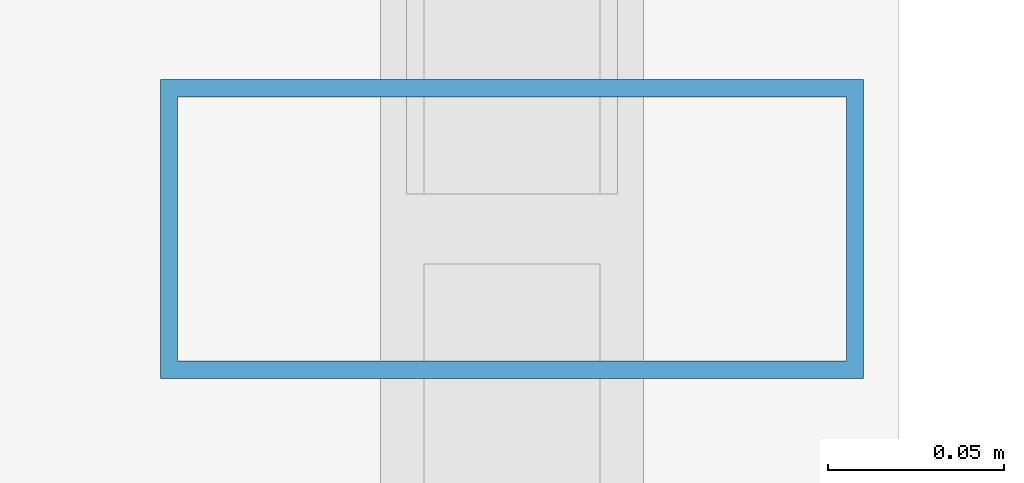
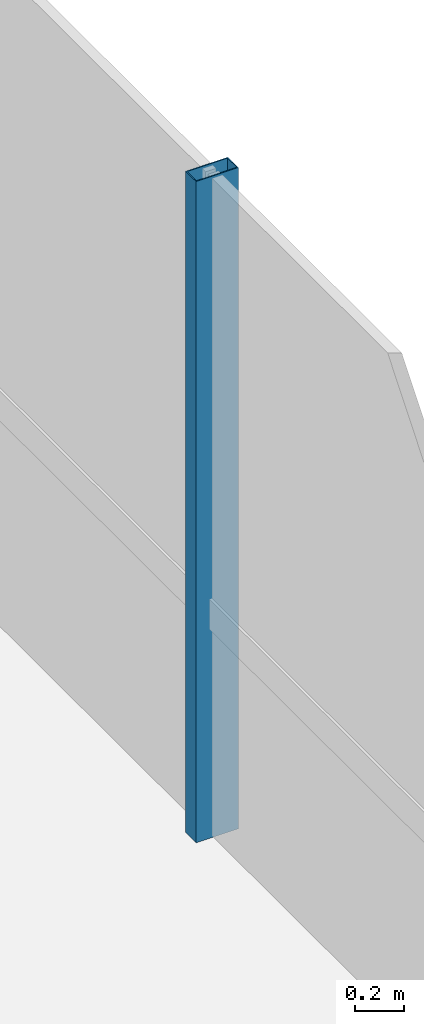
# One storey, part 7 of 35: 1 member, 1 element without a shape of its own.
"""IFC4 building model written with IfcOpenShell, lengths in metres."""

from ifc_helpers import new_model, si_unit, direction, frame, origin, origin_2d, place, context, subcontext, project, spatial, hollow_rectangle, extrude, source, transform, mapped, material, material_profile, profile_set, type_object, element, aggregate, save


model = new_model("IFC4")

# Units and contexts
model_context = context("Model", 3, precision=1e-05, world=origin(), true_north=direction((0.0, 1.0)))
body_context = subcontext(model_context, "Body", "Model", "MODEL_VIEW")
ifc_project = project(units=[si_unit("LENGTHUNIT", "METRE"), si_unit("AREAUNIT", "SQUARE_METRE"), si_unit("VOLUMEUNIT", "CUBIC_METRE"), si_unit("PLANEANGLEUNIT", "RADIAN"), si_unit("MASSUNIT", "GRAM", prefix="KILO")], contexts=[model_context])

# Site, building, storey
site_placement = place(None, origin())
site = spatial("IfcSite", under=ifc_project, at=site_placement, CompositionType="ELEMENT")
building_placement = place(site_placement, origin())
building = spatial("IfcBuilding", under=site, at=building_placement, Name="Valdorenza Pilgrim Sanctuary Tower", CompositionType="ELEMENT")
storey_placement = place(building_placement, frame((0.0, 0.0, 168.60009765625)))
storey = spatial("IfcBuildingStorey", under=building, at=storey_placement, Name="L43", CompositionType="ELEMENT", Elevation=168.60009765625)

# Curtain wall, member
ifc_material_1 = material(Name="Curtain-wall IGU glazing", Category="glass")
curtain_wall_type = type_object("IfcCurtainWallType", Name="CW-SYS-02", PredefinedType="NOTDEFINED", material=ifc_material_1)
curtain_wall_placement = place(storey_placement, origin())
curtain_wall = element("IfcCurtainWall", 1, at=curtain_wall_placement, inside=storey, type_object=curtain_wall_type, Name="L43 Curtain Wall CW-L43-1-21", PredefinedType="NOTDEFINED")
ifc_material_2 = material(Name="Anodised aluminium AW-6060", Category="aluminium")
ifc_material_profile = material_profile(ifc_material_2, hollow_rectangle(XDim=0.0849609375, YDim=0.199951171875, WallThickness=0.0048828125, at=origin_2d()), Name="ALU-M 200x85x5")
ifc_profile_set = profile_set([ifc_material_profile], Name="Anodised aluminium AW-6060")
member_type = type_object("IfcMemberType", Name="CW-MUL-02", PredefinedType="MULLION", material=ifc_profile_set)
shared_shape = source(origin(), body_context, "Body", "SweptSolid", [
    extrude(hollow_rectangle(XDim=0.0849609375, YDim=0.199951171875, WallThickness=0.0048828125, at=origin_2d()), origin(), (0.0, 0.0, 1.0), 3.2998046875),
])
member_placement = place(storey_placement, frame((-9.610107421875, -2.0224609375, 0.0), z_axis=(0.0, 0.0, 1.0), x_axis=(0.0, -1.0, 0.0)))
member = element("IfcMember", 2, at=member_placement, type_object=member_type, Name="CW-L43-1-21 Mullion 2", PredefinedType="MULLION", context=body_context, shape_type="MappedRepresentation", body=[
    mapped(shared_shape, transform((0.0, 0.0, 0.0), x_axis=(1.0, 0.0, 0.0), y_axis=(0.0, 1.0, 0.0), z_axis=(0.0, 0.0, 1.0), scale=1.0)),
])
aggregate(curtain_wall, [member])

save(model, "model.ifc")
